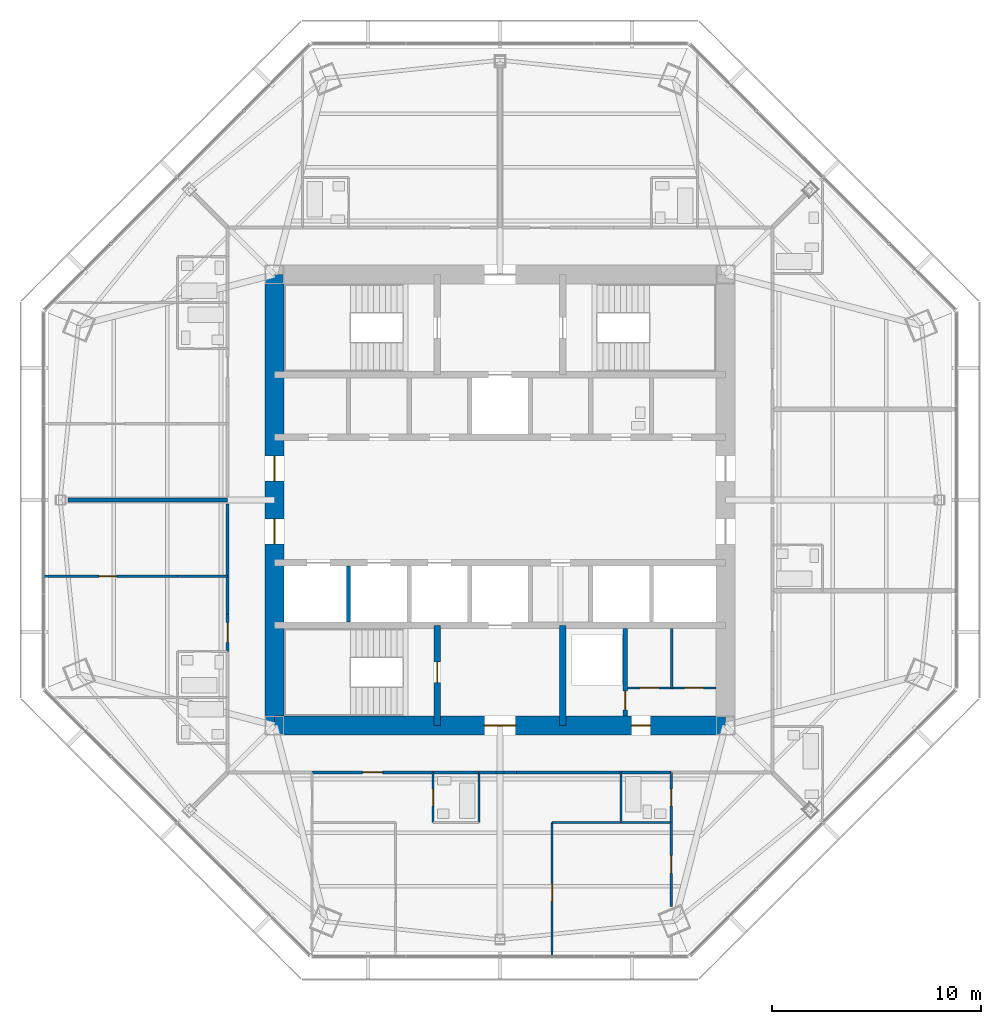
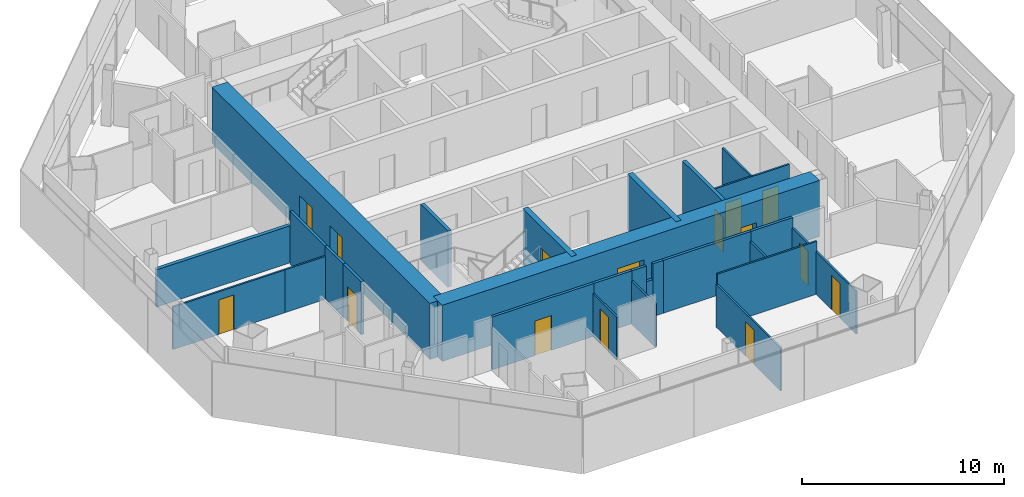
# One storey, part 9 of 16: 28 walls, 15 doors, 15 openings.
"""IFC4 building model written with IfcOpenShell, lengths in metres."""

from ifc_helpers import new_model, si_unit, direction, frame, frame_2d, origin, place, context, subcontext, project, spatial, rectangle, extrude, material, layer, layer_set, type_object, element, fill, save


model = new_model("IFC4")

# Units and contexts
model_context = context("Model", 3, precision=1e-05, world=origin(), true_north=direction((0.0, 1.0)))
body_context = subcontext(model_context, "Body", "Model", "MODEL_VIEW")
ifc_project = project(units=[si_unit("LENGTHUNIT", "METRE"), si_unit("AREAUNIT", "SQUARE_METRE"), si_unit("VOLUMEUNIT", "CUBIC_METRE"), si_unit("PLANEANGLEUNIT", "RADIAN"), si_unit("MASSUNIT", "GRAM", prefix="KILO")], contexts=[model_context])

# Site, building, storey
site_placement = place(None, origin())
site = spatial("IfcSite", under=ifc_project, at=site_placement, CompositionType="ELEMENT")
building_placement = place(site_placement, origin())
building = spatial("IfcBuilding", under=site, at=building_placement, Name="Mashrafa Tower", CompositionType="ELEMENT")
storey_placement = place(building_placement, frame((0.0, 0.0, 217.60009765625)))
storey = spatial("IfcBuildingStorey", under=building, at=storey_placement, Name="L50", CompositionType="ELEMENT", Elevation=217.60009765625)

# Wall
ifc_material_1 = material(Name="Gypsum board on steel studs", Category="steel")
ifc_layer_1 = layer(ifc_material_1, 0.199951171875)
ifc_layer_set_1 = layer_set([ifc_layer_1], Name="Acoustic partition 200 1 hr")
wall_type_1 = type_object("IfcWallType", Name="Acoustic partition 200 1 hr", PredefinedType="PARTITIONING", material=ifc_layer_set_1)
wall_1_placement = place(storey_placement, frame((-20.69384765625, 0.0, 0.0), z_axis=(0.0, 0.0, 1.0), x_axis=(1.0, 0.0, 0.0)))
element("IfcWall", 1, at=wall_1_placement, inside=storey, type_object=wall_type_1, Name="Acoustic wall L50-097", PredefinedType="PARTITIONING", context=body_context, shape_type="SweptSolid", body=[
    extrude(rectangle(XDim=7.643798828125, YDim=0.199951171875, at=frame_2d((3.82177734375, 0.0))), origin(), (0.0, 0.0, 1.0), 2.252685546875),
])

# Wall, opening, door
ifc_material_2 = material(Name="Concrete masonry unit", Category="masonry")
ifc_layer_2 = layer(ifc_material_2, 0.199951171875)
ifc_layer_set_2 = layer_set([ifc_layer_2], Name="Blockwork wall 200 2 hr")
wall_type_2 = type_object("IfcWallType", Name="Blockwork wall 200 2 hr", PredefinedType="PARTITIONING", material=ifc_layer_set_2)
wall_2_placement = place(storey_placement, frame((6.0, -10.35009765625, 0.0), z_axis=(0.0, 0.0, 1.0), x_axis=(0.0, 1.0, 0.0)))
wall_2 = element("IfcWall", 2, at=wall_2_placement, inside=storey, type_object=wall_type_2, Name="Riser enclosure wall L50", PredefinedType="PARTITIONING", context=body_context, shape_type="SweptSolid", body=[
    extrude(rectangle(XDim=4.2001953125, YDim=0.199951171875, at=frame_2d((2.10009765625, 0.0))), origin(), (0.0, 0.0, 1.0), 3.199951171875),
])
opening_1_placement = place(wall_2_placement, frame((0.300048828125, 0.0, 0.0)))
opening_1 = element("IfcOpeningElement", 3, at=opening_1_placement, cuts=wall_2, Name="Opening 50.040", PredefinedType="OPENING", context=body_context, shape_type="SweptSolid", body=[
    extrude(rectangle(XDim=0.89990234375, YDim=2.10009765625, at=frame_2d((0.449951171875, 1.050048828125))), frame((0.0, 0.10986328125, 0.0), z_axis=(0.0, -1.0, 0.0), x_axis=(1.0, 0.0, 0.0)), (0.0, 0.0, 1.0), 0.219970703125),
])
ifc_material_3 = material(Name="Steel door", Category="steel")
door_type_1 = type_object("IfcDoorType", Name="Service door 900 x 2100 90 min", OperationType="USERDEFINED", PredefinedType="DOOR", material=ifc_material_3)
door_1_placement = place(opening_1_placement, origin())
door_1 = element("IfcDoor", 4, at=door_1_placement, inside=storey, type_object=door_type_1, Name="Riser door L50", OperationType="SINGLE_SWING_LEFT", OverallHeight=2.10009765625, OverallWidth=0.89990234375, PredefinedType="DOOR", context=body_context, shape_type="SweptSolid", body=[
    extrude(rectangle(XDim=0.89990234375, YDim=2.10009765625, at=frame_2d((0.449951171875, 1.050048828125))), frame((0.0, 0.02490234375, 0.0), z_axis=(0.0, -1.0, 0.0), x_axis=(1.0, 0.0, 0.0)), (0.0, 0.0, 1.0), 0.050048828125),
])
fill(opening_1, door_1)

ifc_material_4 = material(Name="Concrete C50/60", Category="concrete")
ifc_layer_3 = layer(ifc_material_4, 0.300048828125)
ifc_layer_set_3 = layer_set([ifc_layer_3], Name="Core wall 300 C50/60")
wall_type_3 = type_object("IfcWallType", Name="Core wall 300 C50/60", PredefinedType="SOLIDWALL", material=ifc_layer_set_3)
wall_3_placement = place(storey_placement, frame((-3.0, -6.0, 0.0), z_axis=(0.0, 0.0, 1.0), x_axis=(0.0, -1.0, 0.0)))
wall_3 = element("IfcWall", 5, at=wall_3_placement, inside=storey, type_object=wall_type_3, Name="Core wall CX-SW L50", PredefinedType="SOLIDWALL", context=body_context, shape_type="SweptSolid", body=[
    extrude(rectangle(XDim=4.800048828125, YDim=0.300048828125, at=frame_2d((2.39990234375, 0.0))), origin(), (0.0, 0.0, 1.0), 3.39990234375),
])
opening_2_placement = place(wall_3_placement, frame((1.75, 0.0, 0.0)))
opening_2 = element("IfcOpeningElement", 6, at=opening_2_placement, cuts=wall_3, Name="Opening 50.038", PredefinedType="OPENING", context=body_context, shape_type="SweptSolid", body=[
    extrude(rectangle(XDim=1.0, YDim=2.10009765625, at=frame_2d((0.5, 1.050048828125))), frame((0.0, 0.159912109375, 0.0), z_axis=(0.0, -1.0, 0.0), x_axis=(1.0, 0.0, 0.0)), (0.0, 0.0, 1.0), 0.320068359375),
])
ifc_material_5 = material(Name="Steel door", Category="steel")
door_type_2 = type_object("IfcDoorType", Name="Stair door 1000 x 2100 90 min", OperationType="USERDEFINED", PredefinedType="DOOR", material=ifc_material_5)
door_2_placement = place(opening_2_placement, frame((1.0, 0.0, 0.0), z_axis=(0.0, 0.0, 1.0), x_axis=(-1.0, 0.0, 0.0)))
door_2 = element("IfcDoor", 7, at=door_2_placement, inside=storey, type_object=door_type_2, Name="Stair S3 door L50", OperationType="SINGLE_SWING_RIGHT", OverallHeight=2.10009765625, OverallWidth=1.0, PredefinedType="DOOR", context=body_context, shape_type="SweptSolid", body=[
    extrude(rectangle(XDim=1.0, YDim=2.10009765625, at=frame_2d((0.5, 1.050048828125))), frame((0.0, 0.02490234375, 0.0), z_axis=(0.0, -1.0, 0.0), x_axis=(1.0, 0.0, 0.0)), (0.0, 0.0, 1.0), 0.050048828125),
])
fill(opening_2, door_2)

# Wall
wall_4_placement = place(storey_placement, frame((3.0, -6.0, 0.0), z_axis=(0.0, 0.0, 1.0), x_axis=(0.0, -1.0, 0.0)))
element("IfcWall", 8, at=wall_4_placement, inside=storey, type_object=wall_type_3, Name="Core wall CX-SE L50", PredefinedType="SOLIDWALL", context=body_context, shape_type="SweptSolid", body=[
    extrude(rectangle(XDim=4.800048828125, YDim=0.300048828125, at=frame_2d((2.39990234375, 0.0))), origin(), (0.0, 0.0, 1.0), 3.39990234375),
])

# Wall, openings, doors
ifc_material_6 = material(Name="Concrete C50/60", Category="concrete")
ifc_layer_4 = layer(ifc_material_6, 0.89990234375)
ifc_layer_set_4 = layer_set([ifc_layer_4], Name="Core wall 900 C50/60")
wall_type_4 = type_object("IfcWallType", Name="Core wall 900 C50/60", PredefinedType="SOLIDWALL", material=ifc_layer_set_4)
wall_5_placement = place(storey_placement, frame((-10.800048828125, -10.800048828125, 0.0), z_axis=(0.0, 0.0, 1.0), x_axis=(1.0, 0.0, 0.0)))
wall_5 = element("IfcWall", 9, at=wall_5_placement, inside=storey, type_object=wall_type_4, Name="Core wall CW-S L50", PredefinedType="SOLIDWALL", context=body_context, shape_type="SweptSolid", body=[
    extrude(rectangle(XDim=21.60009765625, YDim=0.89990234375, at=frame_2d((10.800048828125, 0.0))), origin(), (0.0, 0.0, 1.0), 3.39990234375),
])
opening_3_placement = place(wall_5_placement, frame((10.050048828125, 0.0, 0.0)))
opening_3 = element("IfcOpeningElement", 10, at=opening_3_placement, cuts=wall_5, Name="Opening 50.035", PredefinedType="OPENING", context=body_context, shape_type="SweptSolid", body=[
    extrude(rectangle(XDim=1.5, YDim=2.10009765625, at=frame_2d((0.75, 1.050048828125))), frame((0.0, 0.4599609375, 0.0), z_axis=(0.0, -1.0, 0.0), x_axis=(1.0, 0.0, 0.0)), (0.0, 0.0, 1.0), 0.919921875),
])
opening_4_placement = place(wall_5_placement, frame((17.10009765625, 0.0, 0.0)))
opening_4 = element("IfcOpeningElement", 11, at=opening_4_placement, cuts=wall_5, Name="Opening 50.039", PredefinedType="OPENING", context=body_context, shape_type="SweptSolid", body=[
    extrude(rectangle(XDim=0.89990234375, YDim=2.10009765625, at=frame_2d((0.449951171875, 1.050048828125))), frame((0.0, 0.4599609375, 0.0), z_axis=(0.0, -1.0, 0.0), x_axis=(1.0, 0.0, 0.0)), (0.0, 0.0, 1.0), 0.919921875),
])
ifc_material_7 = material(Name="Steel door", Category="steel")
door_type_3 = type_object("IfcDoorType", Name="Lobby door pair 1500 x 2100 90 min", OperationType="DOUBLE_DOOR_SINGLE_SWING", PredefinedType="DOOR", material=ifc_material_7)
door_3_placement = place(opening_3_placement, origin())
door_3 = element("IfcDoor", 12, at=door_3_placement, inside=storey, type_object=door_type_3, Name="Fire-fighting lobby F2 door L50", OperationType="DOUBLE_DOOR_SINGLE_SWING", OverallHeight=2.10009765625, OverallWidth=1.5, PredefinedType="DOOR", context=body_context, shape_type="SweptSolid", body=[
    extrude(rectangle(XDim=1.5, YDim=2.10009765625, at=frame_2d((0.75, 1.050048828125))), frame((0.0, 0.02490234375, 0.0), z_axis=(0.0, -1.0, 0.0), x_axis=(1.0, 0.0, 0.0)), (0.0, 0.0, 1.0), 0.050048828125),
])
fill(opening_3, door_3)
door_4_placement = place(opening_4_placement, frame((0.89990234375, 0.0, 0.0), z_axis=(0.0, 0.0, 1.0), x_axis=(-1.0, 0.0, 0.0)))
door_4 = element("IfcDoor", 13, at=door_4_placement, inside=storey, type_object=door_type_1, Name="Services Lobby L50 door", OperationType="SINGLE_SWING_LEFT", OverallHeight=2.10009765625, OverallWidth=0.89990234375, PredefinedType="DOOR", context=body_context, shape_type="SweptSolid", body=[
    extrude(rectangle(XDim=0.89990234375, YDim=2.10009765625, at=frame_2d((0.449951171875, 1.050048828125))), frame((0.0, 0.02490234375, 0.0), z_axis=(0.0, -1.0, 0.0), x_axis=(1.0, 0.0, 0.0)), (0.0, 0.0, 1.0), 0.050048828125),
])
fill(opening_4, door_4)

wall_6_placement = place(storey_placement, frame((-10.800048828125, 10.800048828125, 0.0), z_axis=(0.0, 0.0, 1.0), x_axis=(0.0, -1.0, 0.0)))
wall_6 = element("IfcWall", 14, at=wall_6_placement, inside=storey, type_object=wall_type_4, Name="Core wall CW-W L50", PredefinedType="SOLIDWALL", context=body_context, shape_type="SweptSolid", body=[
    extrude(rectangle(XDim=21.60009765625, YDim=0.89990234375, at=frame_2d((10.800048828125, 0.0))), origin(), (0.0, 0.0, 1.0), 3.39990234375),
])
opening_5_placement = place(wall_6_placement, frame((8.699951171875, 0.0, 0.0)))
opening_5 = element("IfcOpeningElement", 15, at=opening_5_placement, cuts=wall_6, Name="Opening 50.031", PredefinedType="OPENING", context=body_context, shape_type="SweptSolid", body=[
    extrude(rectangle(XDim=1.199951171875, YDim=2.10009765625, at=frame_2d((0.60009765625, 1.050048828125))), frame((0.0, 0.4599609375, 0.0), z_axis=(0.0, -1.0, 0.0), x_axis=(1.0, 0.0, 0.0)), (0.0, 0.0, 1.0), 0.919921875),
])
opening_6_placement = place(wall_6_placement, frame((11.699951171875, 0.0, 0.0)))
opening_6 = element("IfcOpeningElement", 16, at=opening_6_placement, cuts=wall_6, Name="Opening 50.033", PredefinedType="OPENING", context=body_context, shape_type="SweptSolid", body=[
    extrude(rectangle(XDim=1.199951171875, YDim=2.10009765625, at=frame_2d((0.60009765625, 1.050048828125))), frame((0.0, 0.4599609375, 0.0), z_axis=(0.0, -1.0, 0.0), x_axis=(1.0, 0.0, 0.0)), (0.0, 0.0, 1.0), 0.919921875),
])
ifc_material_8 = material(Name="Steel door", Category="steel")
door_type_4 = type_object("IfcDoorType", Name="Lift hall door 1200 x 2100 90 min", OperationType="USERDEFINED", PredefinedType="DOOR", material=ifc_material_8)
door_5_placement = place(opening_5_placement, frame((1.199951171875, 0.0, 0.0), z_axis=(0.0, 0.0, 1.0), x_axis=(-1.0, 0.0, 0.0)))
door_5 = element("IfcDoor", 17, at=door_5_placement, inside=storey, type_object=door_type_4, Name="Lift hall door west L50", OperationType="SINGLE_SWING_RIGHT", OverallHeight=2.10009765625, OverallWidth=1.199951171875, PredefinedType="DOOR", context=body_context, shape_type="SweptSolid", body=[
    extrude(rectangle(XDim=1.199951171875, YDim=2.10009765625, at=frame_2d((0.60009765625, 1.050048828125))), frame((0.0, 0.02490234375, 0.0), z_axis=(0.0, -1.0, 0.0), x_axis=(1.0, 0.0, 0.0)), (0.0, 0.0, 1.0), 0.050048828125),
])
fill(opening_5, door_5)
door_6_placement = place(opening_6_placement, frame((1.199951171875, 0.0, 0.0), z_axis=(0.0, 0.0, 1.0), x_axis=(-1.0, 0.0, 0.0)))
door_6 = element("IfcDoor", 18, at=door_6_placement, inside=storey, type_object=door_type_4, Name="Lift hall door west L50", OperationType="SINGLE_SWING_LEFT", OverallHeight=2.10009765625, OverallWidth=1.199951171875, PredefinedType="DOOR", context=body_context, shape_type="SweptSolid", body=[
    extrude(rectangle(XDim=1.199951171875, YDim=2.10009765625, at=frame_2d((0.60009765625, 1.050048828125))), frame((0.0, 0.02490234375, 0.0), z_axis=(0.0, -1.0, 0.0), x_axis=(1.0, 0.0, 0.0)), (0.0, 0.0, 1.0), 0.050048828125),
])
fill(opening_6, door_6)

# Walls
ifc_material_9 = material(Name="Gypsum board on steel studs", Category="steel")
ifc_layer_5 = layer(ifc_material_9, 0.14990234375)
ifc_layer_set_5 = layer_set([ifc_layer_5], Name="Corridor partition 150 1 hr")
wall_type_5 = type_object("IfcWallType", Name="Corridor partition 150 1 hr", PredefinedType="PARTITIONING", material=ifc_layer_set_5)
wall_7_placement = place(storey_placement, frame((-13.050048828125, -3.64892578125, 0.0), z_axis=(0.0, 0.0, 1.0), x_axis=(0.0, -1.0, 0.0)))
element("IfcWall", 19, at=wall_7_placement, inside=storey, type_object=wall_type_5, Name="Corridor wall L50-045", PredefinedType="PARTITIONING", context=body_context, shape_type="SweptSolid", body=[
    extrude(rectangle(XDim=1.802001953125, YDim=0.14990234375, at=frame_2d((0.90087890625, 0.0))), origin(), (0.0, 0.0, 1.0), 3.199951171875),
])
wall_8_placement = place(storey_placement, frame((-13.050048828125, -0.18359375, 0.0), z_axis=(0.0, 0.0, 1.0), x_axis=(0.0, -1.0, 0.0)))
element("IfcWall", 20, at=wall_8_placement, inside=storey, type_object=wall_type_5, Name="Corridor wall L50-046", PredefinedType="PARTITIONING", context=body_context, shape_type="SweptSolid", body=[
    extrude(rectangle(XDim=3.46728515625, YDim=0.14990234375, at=frame_2d((1.733642578125, 0.0))), origin(), (0.0, 0.0, 1.0), 3.199951171875),
])

# Wall, opening, door
wall_9_placement = place(storey_placement, frame((-13.050048828125, -5.448974609375, 0.0), z_axis=(0.0, 0.0, 1.0), x_axis=(0.0, -1.0, 0.0)))
wall_9 = element("IfcWall", 21, at=wall_9_placement, inside=storey, type_object=wall_type_5, Name="Corridor wall L50-047", PredefinedType="PARTITIONING", context=body_context, shape_type="SweptSolid", body=[
    extrude(rectangle(XDim=1.802001953125, YDim=0.14990234375, at=frame_2d((0.90087890625, 0.0))), origin(), (0.0, 0.0, 1.0), 3.199951171875),
])
opening_7_placement = place(wall_9_placement, frame((0.426025390625, 0.0, 0.0)))
opening_7 = element("IfcOpeningElement", 22, at=opening_7_placement, cuts=wall_9, Name="Opening 50.022", PredefinedType="OPENING", context=body_context, shape_type="SweptSolid", body=[
    extrude(rectangle(XDim=0.949951171875, YDim=2.10009765625, at=frame_2d((0.47509765625, 1.050048828125))), frame((0.0, 0.0849609375, 0.0), z_axis=(0.0, -1.0, 0.0), x_axis=(1.0, 0.0, 0.0)), (0.0, 0.0, 1.0), 0.169921875),
])
ifc_material_10 = material(Name="Steel door", Category="steel")
door_type_5 = type_object("IfcDoorType", Name="Residence entrance door 950 x 2100 20 min", OperationType="USERDEFINED", PredefinedType="DOOR", material=ifc_material_10)
door_7_placement = place(opening_7_placement, frame((0.949951171875, 0.0, 0.0), z_axis=(0.0, 0.0, 1.0), x_axis=(-1.0, 0.0, 0.0)))
door_7 = element("IfcDoor", 23, at=door_7_placement, inside=storey, type_object=door_type_5, Name="Apartment 5007 Living Room door", OperationType="SINGLE_SWING_RIGHT", OverallHeight=2.10009765625, OverallWidth=0.949951171875, PredefinedType="DOOR", context=body_context, shape_type="SweptSolid", body=[
    extrude(rectangle(XDim=0.949951171875, YDim=2.10009765625, at=frame_2d((0.47509765625, 1.050048828125))), frame((0.0, 0.02490234375, 0.0), z_axis=(0.0, -1.0, 0.0), x_axis=(1.0, 0.0, 0.0)), (0.0, 0.0, 1.0), 0.050048828125),
])
fill(opening_7, door_7)

# Walls
wall_10_placement = place(storey_placement, frame((-3.200927734375, -13.050048828125, 0.0), z_axis=(0.0, 0.0, 1.0), x_axis=(1.0, 0.0, 0.0)))
element("IfcWall", 24, at=wall_10_placement, inside=storey, type_object=wall_type_5, Name="Corridor wall L50-051", PredefinedType="PARTITIONING", context=body_context, shape_type="SweptSolid", body=[
    extrude(rectangle(XDim=2.201904296875, YDim=0.14990234375, at=frame_2d((1.10107421875, 0.0))), origin(), (0.0, 0.0, 1.0), 3.199951171875),
])
wall_11_placement = place(storey_placement, frame((-1.0009765625, -13.050048828125, 0.0), z_axis=(0.0, 0.0, 1.0), x_axis=(1.0, 0.0, 0.0)))
element("IfcWall", 25, at=wall_11_placement, inside=storey, type_object=wall_type_5, Name="Corridor wall L50-052", PredefinedType="PARTITIONING", context=body_context, shape_type="SweptSolid", body=[
    extrude(rectangle(XDim=0.8173828125, YDim=0.14990234375, at=frame_2d((0.40869140625, 0.0))), origin(), (0.0, 0.0, 1.0), 3.199951171875),
])
wall_12_placement = place(storey_placement, frame((0.18359375, -13.050048828125, 0.0), z_axis=(0.0, 0.0, 1.0), x_axis=(1.0, 0.0, 0.0)))
element("IfcWall", 26, at=wall_12_placement, inside=storey, type_object=wall_type_5, Name="Corridor wall L50-053", PredefinedType="PARTITIONING", context=body_context, shape_type="SweptSolid", body=[
    extrude(rectangle(XDim=0.617431640625, YDim=0.14990234375, at=frame_2d((0.30859375, 0.0))), origin(), (0.0, 0.0, 1.0), 3.199951171875),
])
wall_13_placement = place(storey_placement, frame((-0.18359375, -13.050048828125, 0.0), z_axis=(0.0, 0.0, 1.0), x_axis=(1.0, 0.0, 0.0)))
element("IfcWall", 27, at=wall_13_placement, inside=storey, type_object=wall_type_5, Name="Corridor wall L50-054", PredefinedType="PARTITIONING", context=body_context, shape_type="SweptSolid", body=[
    extrude(rectangle(XDim=0.3671875, YDim=0.14990234375, at=frame_2d((0.18359375, 0.0))), origin(), (0.0, 0.0, 1.0), 2.252685546875),
])
wall_14_placement = place(storey_placement, frame((5.799072265625, -13.050048828125, 0.0), z_axis=(0.0, 0.0, 1.0), x_axis=(1.0, 0.0, 0.0)))
element("IfcWall", 28, at=wall_14_placement, inside=storey, type_object=wall_type_5, Name="Corridor wall L50-055", PredefinedType="PARTITIONING", context=body_context, shape_type="SweptSolid", body=[
    extrude(rectangle(XDim=2.40185546875, YDim=0.14990234375, at=frame_2d((1.200927734375, 0.0))), origin(), (0.0, 0.0, 1.0), 3.199951171875),
])

# Wall, opening, door
wall_15_placement = place(storey_placement, frame((-9.0009765625, -13.050048828125, 0.0), z_axis=(0.0, 0.0, 1.0), x_axis=(1.0, 0.0, 0.0)))
wall_15 = element("IfcWall", 29, at=wall_15_placement, inside=storey, type_object=wall_type_5, Name="Corridor wall L50-059", PredefinedType="PARTITIONING", context=body_context, shape_type="SweptSolid", body=[
    extrude(rectangle(XDim=5.802001953125, YDim=0.14990234375, at=frame_2d((2.90087890625, 0.0))), origin(), (0.0, 0.0, 1.0), 3.199951171875),
])
opening_8_placement = place(wall_15_placement, frame((2.426025390625, 0.0, 0.0)))
opening_8 = element("IfcOpeningElement", 30, at=opening_8_placement, cuts=wall_15, Name="Opening 50.028", PredefinedType="OPENING", context=body_context, shape_type="SweptSolid", body=[
    extrude(rectangle(XDim=0.949951171875, YDim=2.10009765625, at=frame_2d((0.47509765625, 1.050048828125))), frame((0.0, 0.0849609375, 0.0), z_axis=(0.0, -1.0, 0.0), x_axis=(1.0, 0.0, 0.0)), (0.0, 0.0, 1.0), 0.169921875),
])
door_8_placement = place(opening_8_placement, frame((0.949951171875, 0.0, 0.0), z_axis=(0.0, 0.0, 1.0), x_axis=(-1.0, 0.0, 0.0)))
door_8 = element("IfcDoor", 31, at=door_8_placement, inside=storey, type_object=door_type_5, Name="Apartment 5008 Living Room door", OperationType="SINGLE_SWING_RIGHT", OverallHeight=2.10009765625, OverallWidth=0.949951171875, PredefinedType="DOOR", context=body_context, shape_type="SweptSolid", body=[
    extrude(rectangle(XDim=0.949951171875, YDim=2.10009765625, at=frame_2d((0.47509765625, 1.050048828125))), frame((0.0, 0.02490234375, 0.0), z_axis=(0.0, -1.0, 0.0), x_axis=(1.0, 0.0, 0.0)), (0.0, 0.0, 1.0), 0.050048828125),
])
fill(opening_8, door_8)

# Walls
wall_16_placement = place(storey_placement, frame((0.799072265625, -13.050048828125, 0.0), z_axis=(0.0, 0.0, 1.0), x_axis=(1.0, 0.0, 0.0)))
element("IfcWall", 32, at=wall_16_placement, inside=storey, type_object=wall_type_5, Name="Corridor wall L50-060", PredefinedType="PARTITIONING", context=body_context, shape_type="SweptSolid", body=[
    extrude(rectangle(XDim=5.001953125, YDim=0.14990234375, at=frame_2d((2.5009765625, 0.0))), origin(), (0.0, 0.0, 1.0), 3.199951171875),
])
ifc_material_11 = material(Name="Gypsum board on steel studs", Category="steel")
ifc_layer_6 = layer(ifc_material_11, 0.10009765625)
ifc_layer_set_6 = layer_set([ifc_layer_6], Name="Partition 100")
wall_type_6 = type_object("IfcWallType", Name="Partition 100", PredefinedType="PARTITIONING", material=ifc_layer_set_6)
wall_17_placement = place(storey_placement, frame((-13.050048828125, -3.64990234375, 0.0), z_axis=(0.0, 0.0, 1.0), x_axis=(-1.0, 0.0, 0.0)))
element("IfcWall", 33, at=wall_17_placement, inside=storey, type_object=wall_type_6, Name="Partition wall L50-108", PredefinedType="PARTITIONING", context=body_context, shape_type="SweptSolid", body=[
    extrude(rectangle(XDim=2.39990234375, YDim=0.10009765625, at=frame_2d((1.199951171875, 0.0))), origin(), (0.0, 0.0, 1.0), 2.590576171875),
])

# Wall, opening, door
wall_18_placement = place(storey_placement, frame((-21.843017578125, -3.64990234375, 0.0), z_axis=(0.0, 0.0, 1.0), x_axis=(1.0, 0.0, 0.0)))
wall_18 = element("IfcWall", 34, at=wall_18_placement, inside=storey, type_object=wall_type_6, Name="Partition wall L50-109", PredefinedType="PARTITIONING", context=body_context, shape_type="SweptSolid", body=[
    extrude(rectangle(XDim=6.39404296875, YDim=0.10009765625, at=frame_2d((3.197021484375, 0.0))), origin(), (0.0, 0.0, 1.0), 2.590576171875),
])
opening_9_placement = place(wall_18_placement, frame((2.634033203125, 0.0, 0.0)))
opening_9 = element("IfcOpeningElement", 35, at=opening_9_placement, cuts=wall_18, Name="Opening 50.021", PredefinedType="OPENING", context=body_context, shape_type="SweptSolid", body=[
    extrude(rectangle(XDim=0.85009765625, YDim=2.10009765625, at=frame_2d((0.425048828125, 1.050048828125))), frame((0.0, 0.06005859375, 0.0), z_axis=(0.0, -1.0, 0.0), x_axis=(1.0, 0.0, 0.0)), (0.0, 0.0, 1.0), 0.1201171875),
])
ifc_material_12 = material(Name="Timber door", Category="wood")
door_type_6 = type_object("IfcDoorType", Name="Bedroom door 850 x 2100", OperationType="USERDEFINED", PredefinedType="DOOR", material=ifc_material_12)
door_9_placement = place(opening_9_placement, origin())
door_9 = element("IfcDoor", 36, at=door_9_placement, inside=storey, type_object=door_type_6, Name="Apartment 5007 Bedroom 2 door", OperationType="SINGLE_SWING_LEFT", OverallHeight=2.10009765625, OverallWidth=0.85009765625, PredefinedType="DOOR", context=body_context, shape_type="SweptSolid", body=[
    extrude(rectangle(XDim=0.85009765625, YDim=2.10009765625, at=frame_2d((0.425048828125, 1.050048828125))), frame((0.0, 0.02490234375, 0.0), z_axis=(0.0, -1.0, 0.0), x_axis=(1.0, 0.0, 0.0)), (0.0, 0.0, 1.0), 0.050048828125),
])
fill(opening_9, door_9)

# Wall
wall_19_placement = place(storey_placement, frame((-1.0, -15.449951171875, 0.0), z_axis=(0.0, 0.0, 1.0), x_axis=(0.0, 1.0, 0.0)))
element("IfcWall", 37, at=wall_19_placement, inside=storey, type_object=wall_type_6, Name="Partition wall L50-117", PredefinedType="PARTITIONING", context=body_context, shape_type="SweptSolid", body=[
    extrude(rectangle(XDim=2.39990234375, YDim=0.10009765625, at=frame_2d((1.199951171875, 0.0))), origin(), (0.0, 0.0, 1.0), 2.590576171875),
])

# Wall, opening, door
wall_20_placement = place(storey_placement, frame((-3.199951171875, -13.050048828125, 0.0), z_axis=(0.0, 0.0, 1.0), x_axis=(0.0, -1.0, 0.0)))
wall_20 = element("IfcWall", 38, at=wall_20_placement, inside=storey, type_object=wall_type_6, Name="Partition wall L50-118", PredefinedType="PARTITIONING", context=body_context, shape_type="SweptSolid", body=[
    extrude(rectangle(XDim=2.39990234375, YDim=0.10009765625, at=frame_2d((1.199951171875, 0.0))), origin(), (0.0, 0.0, 1.0), 2.590576171875),
])
opening_10_placement = place(wall_20_placement, frame((0.800048828125, 0.0, 0.0)))
opening_10 = element("IfcOpeningElement", 39, at=opening_10_placement, cuts=wall_20, Name="Opening 50.025", PredefinedType="OPENING", context=body_context, shape_type="SweptSolid", body=[
    extrude(rectangle(XDim=0.800048828125, YDim=2.10009765625, at=frame_2d((0.39990234375, 1.050048828125))), frame((0.0, 0.06005859375, 0.0), z_axis=(0.0, -1.0, 0.0), x_axis=(1.0, 0.0, 0.0)), (0.0, 0.0, 1.0), 0.1201171875),
])
ifc_material_13 = material(Name="Timber door", Category="wood")
door_type_7 = type_object("IfcDoorType", Name="Bathroom door 800 x 2100", OperationType="USERDEFINED", PredefinedType="DOOR", material=ifc_material_13)
door_10_placement = place(opening_10_placement, origin())
door_10 = element("IfcDoor", 40, at=door_10_placement, inside=storey, type_object=door_type_7, Name="Apartment 5008 Bathroom door", OperationType="SINGLE_SWING_RIGHT", OverallHeight=2.10009765625, OverallWidth=0.800048828125, PredefinedType="DOOR", context=body_context, shape_type="SweptSolid", body=[
    extrude(rectangle(XDim=0.800048828125, YDim=2.10009765625, at=frame_2d((0.39990234375, 1.050048828125))), frame((0.0, 0.02490234375, 0.0), z_axis=(0.0, -1.0, 0.0), x_axis=(1.0, 0.0, 0.0)), (0.0, 0.0, 1.0), 0.050048828125),
])
fill(opening_10, door_10)

wall_21_placement = place(storey_placement, frame((8.199951171875, -15.449951171875, 0.0), z_axis=(0.0, 0.0, 1.0), x_axis=(0.0, 1.0, 0.0)))
wall_21 = element("IfcWall", 41, at=wall_21_placement, inside=storey, type_object=wall_type_6, Name="Partition wall L50-120", PredefinedType="PARTITIONING", context=body_context, shape_type="SweptSolid", body=[
    extrude(rectangle(XDim=2.39990234375, YDim=0.10009765625, at=frame_2d((1.199951171875, 0.0))), origin(), (0.0, 0.0, 1.0), 2.590576171875),
])
opening_11_placement = place(wall_21_placement, frame((0.800048828125, 0.0, 0.0)))
opening_11 = element("IfcOpeningElement", 42, at=opening_11_placement, cuts=wall_21, Name="Opening 50.026", PredefinedType="OPENING", context=body_context, shape_type="SweptSolid", body=[
    extrude(rectangle(XDim=0.800048828125, YDim=2.10009765625, at=frame_2d((0.39990234375, 1.050048828125))), frame((0.0, 0.06005859375, 0.0), z_axis=(0.0, -1.0, 0.0), x_axis=(1.0, 0.0, 0.0)), (0.0, 0.0, 1.0), 0.1201171875),
])
door_11_placement = place(opening_11_placement, origin())
door_11 = element("IfcDoor", 43, at=door_11_placement, inside=storey, type_object=door_type_7, Name="Apartment 5008 En-suite Bathroom door", OperationType="SINGLE_SWING_RIGHT", OverallHeight=2.10009765625, OverallWidth=0.800048828125, PredefinedType="DOOR", context=body_context, shape_type="SweptSolid", body=[
    extrude(rectangle(XDim=0.800048828125, YDim=2.10009765625, at=frame_2d((0.39990234375, 1.050048828125))), frame((0.0, 0.02490234375, 0.0), z_axis=(0.0, -1.0, 0.0), x_axis=(1.0, 0.0, 0.0)), (0.0, 0.0, 1.0), 0.050048828125),
])
fill(opening_11, door_11)

# Walls
wall_22_placement = place(storey_placement, frame((5.800048828125, -13.050048828125, 0.0), z_axis=(0.0, 0.0, 1.0), x_axis=(0.0, -1.0, 0.0)))
element("IfcWall", 44, at=wall_22_placement, inside=storey, type_object=wall_type_6, Name="Partition wall L50-121", PredefinedType="PARTITIONING", context=body_context, shape_type="SweptSolid", body=[
    extrude(rectangle(XDim=2.39990234375, YDim=0.10009765625, at=frame_2d((1.199951171875, 0.0))), origin(), (0.0, 0.0, 1.0), 2.590576171875),
])
wall_23_placement = place(storey_placement, frame((8.199951171875, -15.449951171875, 0.0), z_axis=(0.0, 0.0, 1.0), x_axis=(-1.0, 0.0, 0.0)))
element("IfcWall", 45, at=wall_23_placement, inside=storey, type_object=wall_type_6, Name="Partition wall L50-122", PredefinedType="PARTITIONING", context=body_context, shape_type="SweptSolid", body=[
    extrude(rectangle(XDim=5.699951171875, YDim=0.10009765625, at=frame_2d((2.85009765625, 0.0))), origin(), (0.0, 0.0, 1.0), 3.199951171875),
])

# Wall, opening, door
wall_24_placement = place(storey_placement, frame((8.199951171875, -15.448974609375, 0.0), z_axis=(0.0, 0.0, 1.0), x_axis=(0.0, -1.0, 0.0)))
wall_24 = element("IfcWall", 46, at=wall_24_placement, inside=storey, type_object=wall_type_6, Name="Partition wall L50-123", PredefinedType="PARTITIONING", context=body_context, shape_type="SweptSolid", body=[
    extrude(rectangle(XDim=4.014892578125, YDim=0.10009765625, at=frame_2d((2.00732421875, 0.0))), origin(), (0.0, 0.0, 1.0), 2.590576171875),
])
opening_12_placement = place(wall_24_placement, frame((1.58251953125, 0.0, 0.0)))
opening_12 = element("IfcOpeningElement", 47, at=opening_12_placement, cuts=wall_24, Name="Opening 50.027", PredefinedType="OPENING", context=body_context, shape_type="SweptSolid", body=[
    extrude(rectangle(XDim=0.85009765625, YDim=2.10009765625, at=frame_2d((0.425048828125, 1.050048828125))), frame((0.0, 0.06005859375, 0.0), z_axis=(0.0, -1.0, 0.0), x_axis=(1.0, 0.0, 0.0)), (0.0, 0.0, 1.0), 0.1201171875),
])
door_12_placement = place(opening_12_placement, origin())
door_12 = element("IfcDoor", 48, at=door_12_placement, inside=storey, type_object=door_type_6, Name="Apartment 5008 Bedroom 3 door", OperationType="SINGLE_SWING_RIGHT", OverallHeight=2.10009765625, OverallWidth=0.85009765625, PredefinedType="DOOR", context=body_context, shape_type="SweptSolid", body=[
    extrude(rectangle(XDim=0.85009765625, YDim=2.10009765625, at=frame_2d((0.425048828125, 1.050048828125))), frame((0.0, 0.02490234375, 0.0), z_axis=(0.0, -1.0, 0.0), x_axis=(1.0, 0.0, 0.0)), (0.0, 0.0, 1.0), 0.050048828125),
])
fill(opening_12, door_12)

wall_25_placement = place(storey_placement, frame((2.5, -21.843017578125, 0.0), z_axis=(0.0, 0.0, 1.0), x_axis=(0.0, 1.0, 0.0)))
wall_25 = element("IfcWall", 49, at=wall_25_placement, inside=storey, type_object=wall_type_6, Name="Partition wall L50-125", PredefinedType="PARTITIONING", context=body_context, shape_type="SweptSolid", body=[
    extrude(rectangle(XDim=6.39306640625, YDim=0.10009765625, at=frame_2d((3.196533203125, 0.0))), origin(), (0.0, 0.0, 1.0), 2.590576171875),
])
opening_13_placement = place(wall_25_placement, frame((2.633544921875, 0.0, 0.0)))
opening_13 = element("IfcOpeningElement", 50, at=opening_13_placement, cuts=wall_25, Name="Opening 50.029", PredefinedType="OPENING", context=body_context, shape_type="SweptSolid", body=[
    extrude(rectangle(XDim=0.85009765625, YDim=2.10009765625, at=frame_2d((0.425048828125, 1.050048828125))), frame((0.0, 0.06005859375, 0.0), z_axis=(0.0, -1.0, 0.0), x_axis=(1.0, 0.0, 0.0)), (0.0, 0.0, 1.0), 0.1201171875),
])
door_13_placement = place(opening_13_placement, frame((0.85009765625, 0.0, 0.0), z_axis=(0.0, 0.0, 1.0), x_axis=(-1.0, 0.0, 0.0)))
door_13 = element("IfcDoor", 51, at=door_13_placement, inside=storey, type_object=door_type_6, Name="Apartment 5008 Dining Room door", OperationType="SINGLE_SWING_RIGHT", OverallHeight=2.10009765625, OverallWidth=0.85009765625, PredefinedType="DOOR", context=body_context, shape_type="SweptSolid", body=[
    extrude(rectangle(XDim=0.85009765625, YDim=2.10009765625, at=frame_2d((0.425048828125, 1.050048828125))), frame((0.0, 0.02490234375, 0.0), z_axis=(0.0, -1.0, 0.0), x_axis=(1.0, 0.0, 0.0)), (0.0, 0.0, 1.0), 0.050048828125),
])
fill(opening_13, door_13)

# Wall, openings, doors
ifc_material_14 = material(Name="Gypsum board on steel studs", Category="steel")
ifc_layer_7 = layer(ifc_material_14, 0.10009765625)
ifc_layer_set_7 = layer_set([ifc_layer_7], Name="Partition 100 1 hr")
wall_type_7 = type_object("IfcWallType", Name="Partition 100 1 hr", PredefinedType="PARTITIONING", material=ifc_layer_set_7)
wall_26_placement = place(storey_placement, frame((6.10009765625, -9.0, 0.0), z_axis=(0.0, 0.0, 1.0), x_axis=(1.0, 0.0, 0.0)))
wall_26 = element("IfcWall", 52, at=wall_26_placement, inside=storey, type_object=wall_type_7, Name="Services lobby partition A L50", PredefinedType="PARTITIONING", context=body_context, shape_type="SweptSolid", body=[
    extrude(rectangle(XDim=4.25, YDim=0.10009765625, at=frame_2d((2.125, 0.0))), origin(), (0.0, 0.0, 1.0), 3.199951171875),
])
opening_14_placement = place(wall_26_placement, frame((0.612548828125, 0.0, 0.0)))
opening_14 = element("IfcOpeningElement", 53, at=opening_14_placement, cuts=wall_26, Name="Opening 50.041", PredefinedType="OPENING", context=body_context, shape_type="SweptSolid", body=[
    extrude(rectangle(XDim=0.89990234375, YDim=2.10009765625, at=frame_2d((0.449951171875, 1.050048828125))), frame((0.0, 0.06005859375, 0.0), z_axis=(0.0, -1.0, 0.0), x_axis=(1.0, 0.0, 0.0)), (0.0, 0.0, 1.0), 0.1201171875),
])
opening_15_placement = place(wall_26_placement, frame((2.737548828125, 0.0, 0.0)))
opening_15 = element("IfcOpeningElement", 54, at=opening_15_placement, cuts=wall_26, Name="Opening 50.042", PredefinedType="OPENING", context=body_context, shape_type="SweptSolid", body=[
    extrude(rectangle(XDim=0.89990234375, YDim=2.10009765625, at=frame_2d((0.449951171875, 1.050048828125))), frame((0.0, 0.06005859375, 0.0), z_axis=(0.0, -1.0, 0.0), x_axis=(1.0, 0.0, 0.0)), (0.0, 0.0, 1.0), 0.1201171875),
])
ifc_material_15 = material(Name="Timber door", Category="wood")
door_type_8 = type_object("IfcDoorType", Name="Store door 900 x 2100", OperationType="USERDEFINED", PredefinedType="DOOR", material=ifc_material_15)
door_14_placement = place(opening_14_placement, origin())
door_14 = element("IfcDoor", 55, at=door_14_placement, inside=storey, type_object=door_type_8, Name="Cleaner's Store L50 door", OperationType="SINGLE_SWING_RIGHT", OverallHeight=2.10009765625, OverallWidth=0.89990234375, PredefinedType="DOOR", context=body_context, shape_type="SweptSolid", body=[
    extrude(rectangle(XDim=0.89990234375, YDim=2.10009765625, at=frame_2d((0.449951171875, 1.050048828125))), frame((0.0, 0.02490234375, 0.0), z_axis=(0.0, -1.0, 0.0), x_axis=(1.0, 0.0, 0.0)), (0.0, 0.0, 1.0), 0.050048828125),
])
fill(opening_14, door_14)
door_15_placement = place(opening_15_placement, origin())
door_15 = element("IfcDoor", 56, at=door_15_placement, inside=storey, type_object=door_type_8, Name="Building Services Store L50 door", OperationType="SINGLE_SWING_LEFT", OverallHeight=2.10009765625, OverallWidth=0.89990234375, PredefinedType="DOOR", context=body_context, shape_type="SweptSolid", body=[
    extrude(rectangle(XDim=0.89990234375, YDim=2.10009765625, at=frame_2d((0.449951171875, 1.050048828125))), frame((0.0, 0.02490234375, 0.0), z_axis=(0.0, -1.0, 0.0), x_axis=(1.0, 0.0, 0.0)), (0.0, 0.0, 1.0), 0.050048828125),
])
fill(opening_15, door_15)

# Walls
wall_27_placement = place(storey_placement, frame((8.22509765625, -9.0, 0.0), z_axis=(0.0, 0.0, 1.0), x_axis=(0.0, 1.0, 0.0)))
element("IfcWall", 57, at=wall_27_placement, inside=storey, type_object=wall_type_7, Name="Services lobby partition B L50", PredefinedType="PARTITIONING", context=body_context, shape_type="SweptSolid", body=[
    extrude(rectangle(XDim=2.85009765625, YDim=0.10009765625, at=frame_2d((1.425048828125, 0.0))), origin(), (0.0, 0.0, 1.0), 3.199951171875),
])
ifc_material_16 = material(Name="Gypsum shaft wall on steel studs", Category="steel")
ifc_layer_8 = layer(ifc_material_16, 0.199951171875)
ifc_layer_set_8 = layer_set([ifc_layer_8], Name="Shaft divider wall 200 2 hr")
wall_type_8 = type_object("IfcWallType", Name="Shaft divider wall 200 2 hr", PredefinedType="PARTITIONING", material=ifc_layer_set_8)
wall_28_placement = place(storey_placement, frame((-7.25, -5.85009765625, 0.0), z_axis=(0.0, 0.0, 1.0), x_axis=(0.0, 1.0, 0.0)))
element("IfcWall", 58, at=wall_28_placement, inside=storey, type_object=wall_type_8, Name="Shaft divider wall S1 L50", PredefinedType="PARTITIONING", context=body_context, shape_type="SweptSolid", body=[
    extrude(rectangle(XDim=2.7001953125, YDim=0.199951171875, at=frame_2d((1.35009765625, 0.0))), origin(), (0.0, 0.0, 1.0), 3.39990234375),
])

save(model, "model.ifc")
